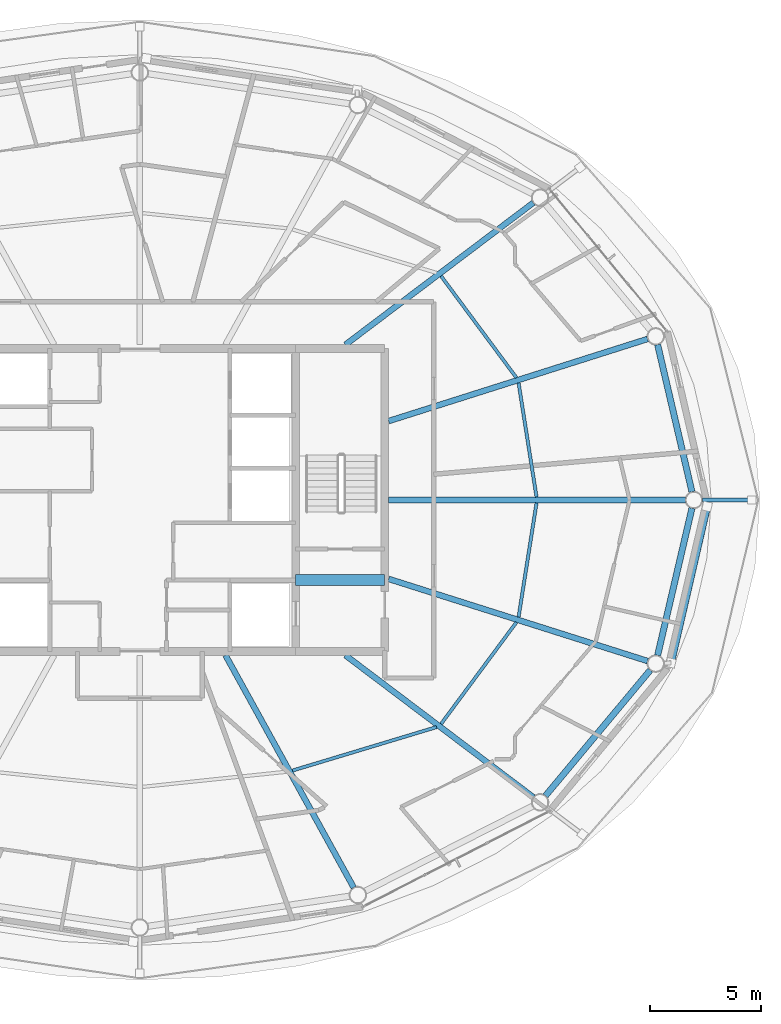
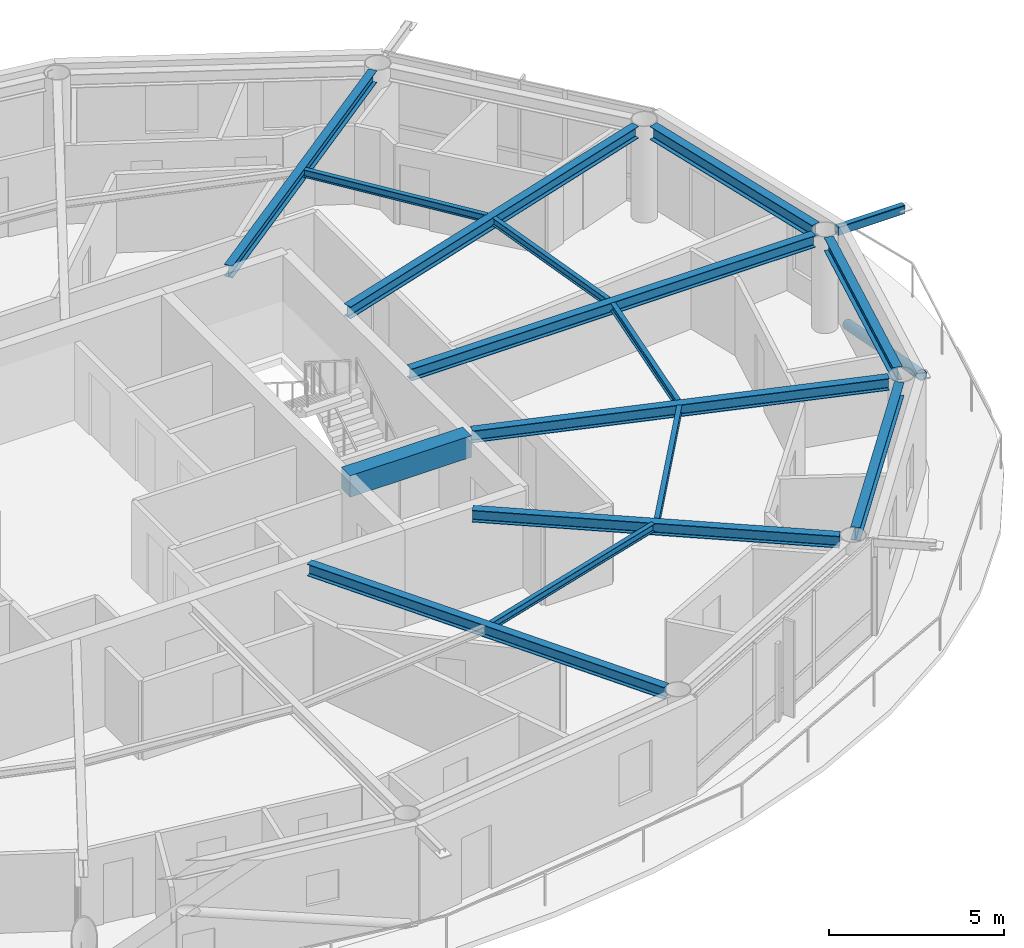
# One storey, part 6 of 23: 15 beams, 2 members.
"""IFC4 building model written with IfcOpenShell, lengths in metres."""

from ifc_helpers import new_model, si_unit, direction, frame, origin, origin_2d, place, context, subcontext, project, spatial, rectangle, hollow_rectangle, hollow_circle, i_section, extrude, material, material_profile, profile_set, type_object, element, save


model = new_model("IFC4")

# Units and contexts
model_context = context("Model", 3, precision=1e-05, world=origin(), true_north=direction((0.0, 1.0)))
body_context = subcontext(model_context, "Body", "Model", "MODEL_VIEW")
ifc_project = project(units=[si_unit("LENGTHUNIT", "METRE"), si_unit("AREAUNIT", "SQUARE_METRE"), si_unit("VOLUMEUNIT", "CUBIC_METRE"), si_unit("PLANEANGLEUNIT", "RADIAN"), si_unit("MASSUNIT", "GRAM", prefix="KILO")], contexts=[model_context])

# Site, building, storey
site_placement = place(None, origin())
site = spatial("IfcSite", under=ifc_project, at=site_placement, CompositionType="ELEMENT")
building_placement = place(site_placement, origin())
building = spatial("IfcBuilding", under=site, at=building_placement, Name="Sarneth Arch Tower", CompositionType="ELEMENT")
storey_placement = place(building_placement, frame((0.0, 0.0, 276.60009765625)))
storey = spatial("IfcBuildingStorey", under=building, at=storey_placement, Name="L71", CompositionType="ELEMENT", Elevation=276.60009765625)

# Beams
ifc_material_1 = material(Name="Steel S355", Category="steel")
ifc_material_profile_1 = material_profile(ifc_material_1, i_section(OverallWidth=0.14794921875, OverallDepth=0.26611328125, WebThickness=0.007568359375, FlangeThickness=0.012939453125, FilletRadius=0.012939453125, at=origin_2d()), Name="W250x44.8")
ifc_profile_set_1 = profile_set([ifc_material_profile_1], Name="Steel S355")
beam_type_1 = type_object("IfcBeamType", Name="BM-JOIST-250", PredefinedType="JOIST", material=ifc_profile_set_1)
beam_1_placement = place(storey_placement, frame((65.818359375, 42.12841796875, 3.23681640625), z_axis=(-0.155520890899, 0.987832603478, 0.0), x_axis=(-0.987832603478, -0.155520890899, 0.0)))
element("IfcBeam", 1, at=beam_1_placement, inside=storey, type_object=beam_type_1, Name="L71 Secondary floor joist 01", PredefinedType="JOIST", context=body_context, shape_type="SweptSolid", body=[
    extrude(i_section(OverallWidth=0.14794921875, OverallDepth=0.26611328125, WebThickness=0.007568359375, FlangeThickness=0.012939453125, FilletRadius=0.012939453125, at=origin_2d()), origin(), (0.0, 0.0, 1.0), 5.194580078125),
])
beam_2_placement = place(storey_placement, frame((64.912841796875, 47.49267578125, 3.23681640625), z_axis=(-0.595431044136, 0.803406417499, 0.0), x_axis=(-0.803406417499, -0.595431044136, 0.0)))
element("IfcBeam", 2, at=beam_2_placement, inside=storey, type_object=beam_type_1, Name="L71 Secondary floor joist 02", PredefinedType="JOIST", context=body_context, shape_type="SweptSolid", body=[
    extrude(i_section(OverallWidth=0.14794921875, OverallDepth=0.26611328125, WebThickness=0.007568359375, FlangeThickness=0.012939453125, FilletRadius=0.012939453125, at=origin_2d()), origin(), (0.0, 0.0, 1.0), 5.680419921875),
])
beam_3_placement = place(storey_placement, frame((54.852783203125, 29.84765625, 3.23681640625), z_axis=(0.957373106971, 0.288854174367, 0.0), x_axis=(-0.288854174367, 0.957373106971, 0.0)))
element("IfcBeam", 3, at=beam_3_placement, inside=storey, type_object=beam_type_1, Name="L71 Secondary floor joist 14", PredefinedType="JOIST", context=body_context, shape_type="SweptSolid", body=[
    extrude(i_section(OverallWidth=0.14794921875, OverallDepth=0.26611328125, WebThickness=0.007568359375, FlangeThickness=0.012939453125, FilletRadius=0.012939453125, at=origin_2d()), origin(), (0.0, 0.0, 1.0), 6.76416015625),
])
beam_4_placement = place(storey_placement, frame((61.530517578125, 31.943603515625, 3.23681640625), z_axis=(0.595431044136, 0.803406417499, 0.0), x_axis=(-0.803406417499, 0.595431044136, 0.0)))
element("IfcBeam", 4, at=beam_4_placement, inside=storey, type_object=beam_type_1, Name="L71 Secondary floor joist 15", PredefinedType="JOIST", context=body_context, shape_type="SweptSolid", body=[
    extrude(i_section(OverallWidth=0.14794921875, OverallDepth=0.26611328125, WebThickness=0.007568359375, FlangeThickness=0.012939453125, FilletRadius=0.012939453125, at=origin_2d()), origin(), (0.0, 0.0, 1.0), 5.680419921875),
])
beam_5_placement = place(storey_placement, frame((65.010498046875, 36.740234375, 3.23681640625), z_axis=(0.155520890899, 0.987832603478, 0.0), x_axis=(-0.987832603478, 0.155520890899, 0.0)))
element("IfcBeam", 5, at=beam_5_placement, inside=storey, type_object=beam_type_1, Name="L71 Secondary floor joist 16", PredefinedType="JOIST", context=body_context, shape_type="SweptSolid", body=[
    extrude(i_section(OverallWidth=0.14794921875, OverallDepth=0.26611328125, WebThickness=0.007568359375, FlangeThickness=0.012939453125, FilletRadius=0.012939453125, at=origin_2d()), origin(), (0.0, 0.0, 1.0), 5.194580078125),
])
ifc_material_2 = material(Name="Concrete C50/60", Category="concrete")
ifc_material_profile_2 = material_profile(ifc_material_2, rectangle(XDim=0.5, YDim=0.75, at=origin_2d()), Name="RC-500x750")
ifc_profile_set_2 = profile_set([ifc_material_profile_2], Name="Concrete C50/60")
beam_type_2 = type_object("IfcBeamType", Name="BM-LINTEL-RC", PredefinedType="LINTEL", material=ifc_profile_set_2)
beam_6_placement = place(storey_placement, frame((55.0, 38.39990234375, 2.994873046875), z_axis=(1.0, 0.0, 0.0), x_axis=(0.0, 1.0, 0.0)))
element("IfcBeam", 6, at=beam_6_placement, inside=storey, type_object=beam_type_2, Name="L71 Core coupling lintel E", PredefinedType="LINTEL", context=body_context, shape_type="SweptSolid", body=[
    extrude(rectangle(XDim=0.5, YDim=0.75, at=origin_2d()), origin(), (0.0, 0.0, 1.0), 4.0),
])
ifc_material_3 = material(Name="Steel S355", Category="steel")
ifc_material_profile_3 = material_profile(ifc_material_3, i_section(OverallWidth=0.260009765625, OverallDepth=0.4150390625, WebThickness=0.010009765625, FlangeThickness=0.016845703125, FilletRadius=0.01611328125, at=origin_2d()), Name="W410x100")
ifc_profile_set_3 = profile_set([ifc_material_profile_3], Name="Steel S355")
beam_type_3 = type_object("IfcBeamType", Name="BM-RAD-410A", PredefinedType="BEAM", material=ifc_profile_set_3)
beam_7_placement = place(storey_placement, frame((59.175048828125, 42.0, 3.162353515625), z_axis=(1.0, 0.0, 0.0), x_axis=(0.0, 1.0, 0.0)))
element("IfcBeam", 7, at=beam_7_placement, inside=storey, type_object=beam_type_3, Name="L71 Radial floor girder 01", PredefinedType="BEAM", context=body_context, shape_type="SweptSolid", body=[
    extrude(i_section(OverallWidth=0.260009765625, OverallDepth=0.4150390625, WebThickness=0.010009765625, FlangeThickness=0.016845703125, FilletRadius=0.01611328125, at=origin_2d()), origin(), (0.0, 0.0, 1.0), 13.3271484375),
])
beam_8_placement = place(storey_placement, frame((59.175048828125, 45.5439453125, 3.162353515625), z_axis=(0.953213623044, 0.302297517096, 0.0), x_axis=(-0.302297517096, 0.953213623044, 0.0)))
element("IfcBeam", 8, at=beam_8_placement, inside=storey, type_object=beam_type_3, Name="L71 Radial floor girder 02", PredefinedType="BEAM", context=body_context, shape_type="SweptSolid", body=[
    extrude(i_section(OverallWidth=0.260009765625, OverallDepth=0.4150390625, WebThickness=0.010009765625, FlangeThickness=0.016845703125, FilletRadius=0.01611328125, at=origin_2d()), origin(), (0.0, 0.0, 1.0), 12.201416015625),
])
beam_9_placement = place(storey_placement, frame((57.23486328125, 48.97509765625, 3.162353515625), z_axis=(0.797969745164, 0.602697507713, 0.0), x_axis=(-0.602697507713, 0.797969745164, 0.0)))
element("IfcBeam", 9, at=beam_9_placement, inside=storey, type_object=beam_type_3, Name="L71 Radial floor girder 03", PredefinedType="BEAM", context=body_context, shape_type="SweptSolid", body=[
    extrude(i_section(OverallWidth=0.260009765625, OverallDepth=0.4150390625, WebThickness=0.010009765625, FlangeThickness=0.016845703125, FilletRadius=0.01611328125, at=origin_2d()), origin(), (0.0, 0.0, 1.0), 10.572265625),
])
beam_10_placement = place(storey_placement, frame((51.849853515625, 35.02490234375, 3.162353515625), z_axis=(0.483231193732, -0.875492783182, 0.0), x_axis=(0.875492783182, 0.483231193732, 0.0)))
element("IfcBeam", 10, at=beam_10_placement, inside=storey, type_object=beam_type_3, Name="L71 Radial floor girder 14", PredefinedType="BEAM", context=body_context, shape_type="SweptSolid", body=[
    extrude(i_section(OverallWidth=0.260009765625, OverallDepth=0.4150390625, WebThickness=0.010009765625, FlangeThickness=0.016845703125, FilletRadius=0.01611328125, at=origin_2d()), origin(), (0.0, 0.0, 1.0), 11.913330078125),
])
beam_11_placement = place(storey_placement, frame((57.23486328125, 35.02490234375, 3.162353515625), z_axis=(0.797969745164, -0.602697507713, 0.0), x_axis=(0.602697507713, 0.797969745164, 0.0)))
element("IfcBeam", 11, at=beam_11_placement, inside=storey, type_object=beam_type_3, Name="L71 Radial floor girder 15", PredefinedType="BEAM", context=body_context, shape_type="SweptSolid", body=[
    extrude(i_section(OverallWidth=0.260009765625, OverallDepth=0.4150390625, WebThickness=0.010009765625, FlangeThickness=0.016845703125, FilletRadius=0.01611328125, at=origin_2d()), origin(), (0.0, 0.0, 1.0), 10.572265625),
])
beam_12_placement = place(storey_placement, frame((59.175048828125, 38.4560546875, 3.162353515625), z_axis=(0.953213623044, -0.302297517096, 0.0), x_axis=(0.302297517096, 0.953213623044, 0.0)))
element("IfcBeam", 12, at=beam_12_placement, inside=storey, type_object=beam_type_3, Name="L71 Radial floor girder 16", PredefinedType="BEAM", context=body_context, shape_type="SweptSolid", body=[
    extrude(i_section(OverallWidth=0.260009765625, OverallDepth=0.4150390625, WebThickness=0.010009765625, FlangeThickness=0.016845703125, FilletRadius=0.01611328125, at=origin_2d()), origin(), (0.0, 0.0, 1.0), 12.201416015625),
])
ifc_material_4 = material(Name="Steel S355", Category="steel")
ifc_material_profile_4 = material_profile(ifc_material_4, i_section(OverallWidth=0.280029296875, OverallDepth=0.462890625, WebThickness=0.0107421875, FlangeThickness=0.017333984375, FilletRadius=0.01806640625, at=origin_2d()), Name="W460x113")
ifc_profile_set_4 = profile_set([ifc_material_profile_4], Name="Steel S355")
beam_type_4 = type_object("IfcBeamType", Name="BM-RAD-460A", PredefinedType="BEAM", material=ifc_profile_set_4)
beam_13_placement = place(storey_placement, frame((72.796630859375, 42.37109375, 3.138427734375), z_axis=(-0.227227339933, 0.973841740729, 0.0), x_axis=(-0.973841740729, -0.227227339933, 0.0)))
element("IfcBeam", 13, at=beam_13_placement, inside=storey, type_object=beam_type_4, Name="L71 Perimeter spandrel beam 01", PredefinedType="BEAM", context=body_context, shape_type="SweptSolid", body=[
    extrude(i_section(OverallWidth=0.280029296875, OverallDepth=0.462890625, WebThickness=0.0107421875, FlangeThickness=0.017333984375, FilletRadius=0.01806640625, at=origin_2d()), origin(), (0.0, 0.0, 1.0), 6.782958984375),
])
beam_14_placement = place(storey_placement, frame((66.21923828125, 28.716064453125, 3.138427734375), z_axis=(0.640377192996, 0.768060577487, 0.0), x_axis=(-0.768060577487, 0.640377192996, 0.0)))
element("IfcBeam", 14, at=beam_14_placement, inside=storey, type_object=beam_type_4, Name="L71 Perimeter spandrel beam 15", PredefinedType="BEAM", context=body_context, shape_type="SweptSolid", body=[
    extrude(i_section(OverallWidth=0.280029296875, OverallDepth=0.462890625, WebThickness=0.0107421875, FlangeThickness=0.017333984375, FilletRadius=0.01806640625, at=origin_2d()), origin(), (0.0, 0.0, 1.0), 7.34814453125),
])
beam_15_placement = place(storey_placement, frame((71.25537109375, 35.0234375, 3.138427734375), z_axis=(0.227227339933, 0.973841740729, 0.0), x_axis=(-0.973841740729, 0.227227339933, 0.0)))
element("IfcBeam", 15, at=beam_15_placement, inside=storey, type_object=beam_type_4, Name="L71 Perimeter spandrel beam 16", PredefinedType="BEAM", context=body_context, shape_type="SweptSolid", body=[
    extrude(i_section(OverallWidth=0.280029296875, OverallDepth=0.462890625, WebThickness=0.0107421875, FlangeThickness=0.017333984375, FilletRadius=0.01806640625, at=origin_2d()), origin(), (0.0, 0.0, 1.0), 6.782958984375),
])

# Members
ifc_material_5 = material(Name="Steel S355", Category="steel")
ifc_material_profile_5 = material_profile(ifc_material_5, hollow_rectangle(XDim=0.199951171875, YDim=0.300048828125, WallThickness=0.012451171875, InnerFilletRadius=0.018798828125, OuterFilletRadius=0.03125, at=origin_2d()), Name="RHS300x200x12.5")
ifc_profile_set_5 = profile_set([ifc_material_profile_5], Name="Steel S355")
member_type_1 = type_object("IfcMemberType", Name="MEM-CANT-STRUT", PredefinedType="STRUT", material=ifc_profile_set_5)
member_1_placement = place(storey_placement, frame((73.26416015625, 42.0, 3.2099609375), z_axis=(1.0, 0.0, 0.0), x_axis=(0.0, 1.0, 0.0)))
element("IfcMember", 16, at=member_1_placement, inside=storey, type_object=member_type_1, Name="L71 Balcony cantilever bracket 01", PredefinedType="STRUT", context=body_context, shape_type="SweptSolid", body=[
    extrude(hollow_rectangle(XDim=0.199951171875, YDim=0.300048828125, WallThickness=0.012451171875, InnerFilletRadius=0.018798828125, OuterFilletRadius=0.03125, at=origin_2d()), origin(), (0.0, 0.0, 1.0), 2.2109375),
])
ifc_material_6 = material(Name="Steel S355", Category="steel")
ifc_material_profile_6 = material_profile(ifc_material_6, hollow_circle(Radius=0.162109375, WallThickness=0.012451171875, at=origin_2d()), Name="CHS324x12.5")
ifc_profile_set_6 = profile_set([ifc_material_profile_6], Name="Steel S355")
member_type_2 = type_object("IfcMemberType", Name="MEM-DIAG-BR3", PredefinedType="BRACE", material=ifc_profile_set_6)
member_2_placement = place(storey_placement, frame((73.4765625, 41.707763671875, 0.02001953125), z_axis=(-0.207345906073, -0.896276435764, 0.392041102347), x_axis=(0.974268900284, -0.225388797281, 0.0)))
element("IfcMember", 17, at=member_2_placement, inside=storey, type_object=member_type_2, Name="L71 Perimeter frame diagonal 16", PredefinedType="BRACE", context=body_context, shape_type="SweptSolid", body=[
    extrude(hollow_circle(Radius=0.162109375, WallThickness=0.012451171875, at=origin_2d()), origin(), (0.0, 0.0, 1.0), 7.8359375),
])

save(model, "model.ifc")
